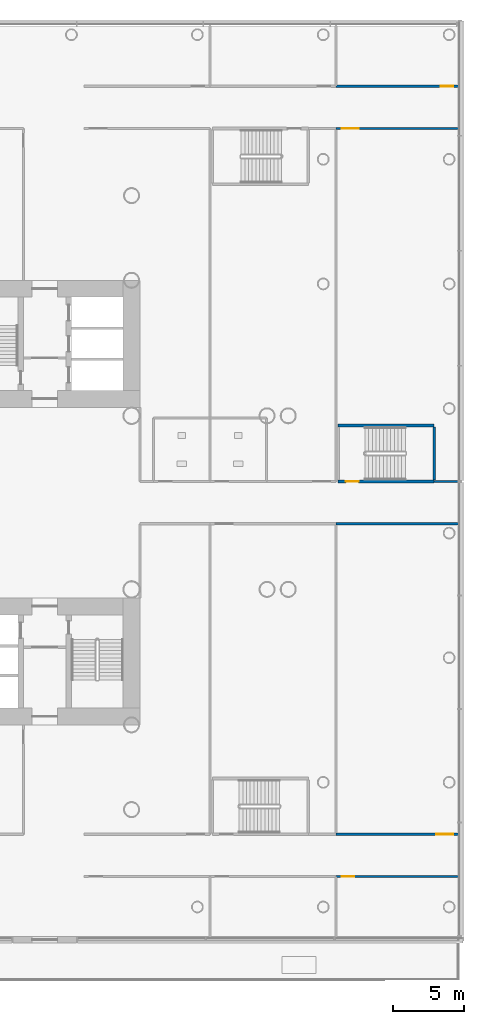
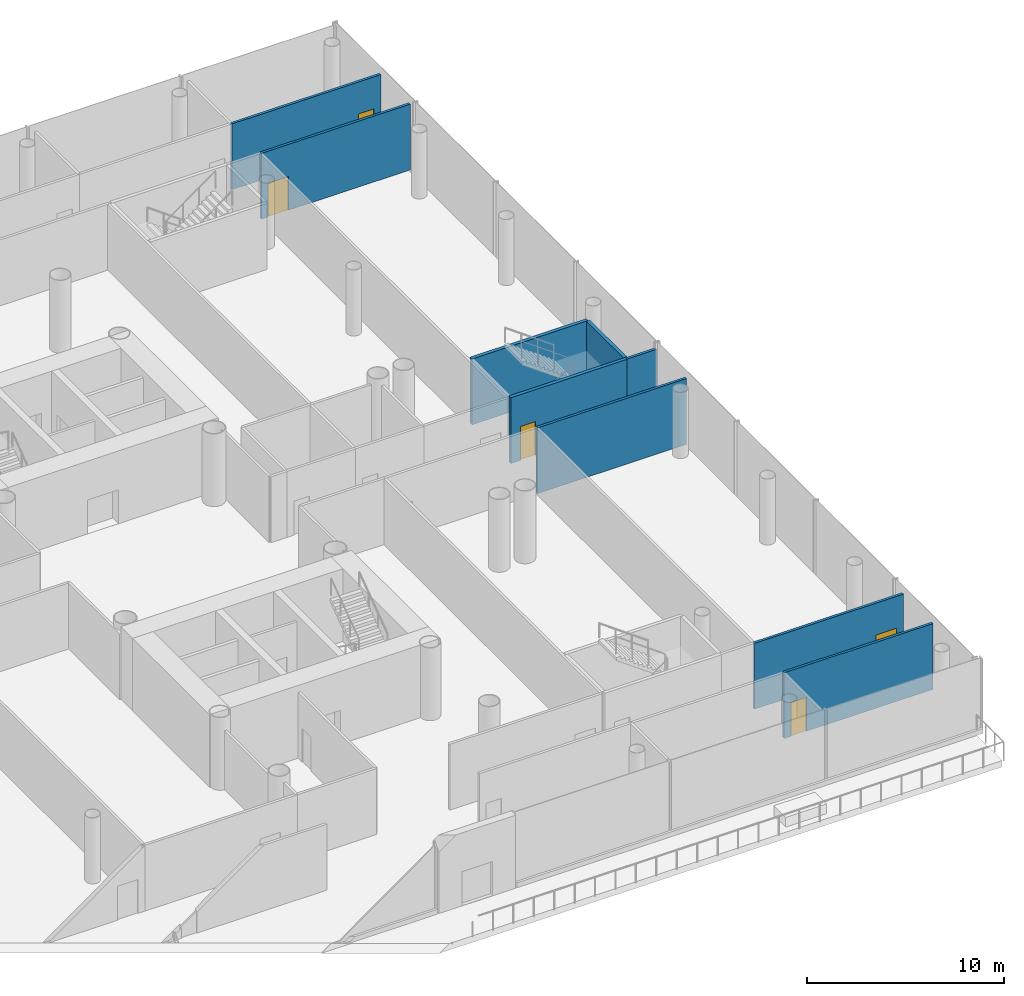
# One storey, part 25 of 49: 9 walls, 5 doors, 5 openings.
"""IFC4 building model written with IfcOpenShell, lengths in metres."""

from ifc_helpers import new_model, si_unit, direction, frame, frame_2d, origin, place, context, subcontext, project, spatial, rectangle, extrude, material, layer, layer_set, type_object, element, fill, save


model = new_model("IFC4")

# Units and contexts
model_context = context("Model", 3, precision=1e-05, world=origin(), true_north=direction((0.0, 1.0)))
body_context = subcontext(model_context, "Body", "Model", "MODEL_VIEW")
ifc_project = project(units=[si_unit("LENGTHUNIT", "METRE"), si_unit("AREAUNIT", "SQUARE_METRE"), si_unit("VOLUMEUNIT", "CUBIC_METRE"), si_unit("PLANEANGLEUNIT", "RADIAN"), si_unit("MASSUNIT", "GRAM", prefix="KILO")], contexts=[model_context])

# Site, building, storey
site_placement = place(None, origin())
site = spatial("IfcSite", under=ifc_project, at=site_placement, CompositionType="ELEMENT")
building_placement = place(site_placement, origin())
building = spatial("IfcBuilding", under=site, at=building_placement, Name="Ipe Terrace Towers", CompositionType="ELEMENT")
storey_placement = place(building_placement, frame((0.0, 0.0, 20.0)))
storey = spatial("IfcBuildingStorey", under=building, at=storey_placement, Name="L04", CompositionType="ELEMENT", Elevation=20.0)

# Wall, opening, door
ifc_material_1 = material(Name="Gypsum board partition", Category="plasterboard")
ifc_layer_1 = layer(ifc_material_1, 0.14990234375)
ifc_layer_set_1 = layer_set([ifc_layer_1], Name="Gypsum board partition 150 mm")
wall_type_1 = type_object("IfcWallType", Name="Gypsum board partition 150 mm", PredefinedType="PARTITIONING", material=ifc_layer_set_1)
wall_1_placement = place(storey_placement, frame((56.6298828125, -26.5, 0.0), z_axis=(0.0, 0.0, 1.0), x_axis=(1.0, 0.0, 0.0)))
wall_1 = element("IfcWall", 1, at=wall_1_placement, inside=storey, type_object=wall_type_1, Name="Gypsum board partition T2 L04 pd-r54-w66", PredefinedType="PARTITIONING", context=body_context, shape_type="SweptSolid", body=[
    extrude(rectangle(XDim=8.72021484375, YDim=0.14990234375, at=frame_2d((4.360107421875, 0.0))), origin(), (0.0, 0.0, 1.0), 4.074951171875),
])
opening_1_placement = place(wall_1_placement, frame((0.39990234375, 0.0, 0.0)))
opening_1 = element("IfcOpeningElement", 2, at=opening_1_placement, cuts=wall_1, Name="Opening PD-L04-r54", PredefinedType="OPENING", context=body_context, shape_type="SweptSolid", body=[
    extrude(rectangle(XDim=0.89990234375, YDim=2.10009765625, at=frame_2d((0.449951171875, 1.050048828125))), frame((0.0, 0.0849609375, 0.0), z_axis=(0.0, -1.0, 0.0), x_axis=(1.0, 0.0, 0.0)), (0.0, 0.0, 1.0), 0.169921875),
])
ifc_material_2 = material(Name="Fire-rated timber door leaf", Category="wood")
door_type_1 = type_object("IfcDoorType", Name="Lounge door 900 x 2100 FD30S", OperationType="NOTDEFINED", PredefinedType="DOOR", material=ifc_material_2)
door_1_placement = place(opening_1_placement, origin())
door_1 = element("IfcDoor", 3, at=door_1_placement, inside=storey, type_object=door_type_1, Name="Lounge door PD-L04-r54", OperationType="SINGLE_SWING_RIGHT", OverallHeight=2.10009765625, OverallWidth=0.89990234375, PredefinedType="DOOR", context=body_context, shape_type="SweptSolid", body=[
    extrude(rectangle(XDim=0.89990234375, YDim=2.10009765625, at=frame_2d((0.449951171875, 1.050048828125))), frame((0.0, 0.02490234375, 0.0), z_axis=(0.0, -1.0, 0.0), x_axis=(1.0, 0.0, 0.0)), (0.0, 0.0, 1.0), 0.050048828125),
])
fill(opening_1, door_1)

wall_2_placement = place(storey_placement, frame((65.35009765625, -23.5, 0.0), z_axis=(0.0, 0.0, 1.0), x_axis=(-1.0, 0.0, 0.0)))
wall_2 = element("IfcWall", 4, at=wall_2_placement, inside=storey, type_object=wall_type_1, Name="Gypsum board partition T2 L04 pd-r55-w67", PredefinedType="PARTITIONING", context=body_context, shape_type="SweptSolid", body=[
    extrude(rectangle(XDim=8.72021484375, YDim=0.14990234375, at=frame_2d((4.360107421875, 0.0))), origin(), (0.0, 0.0, 1.0), 4.074951171875),
])
opening_2_placement = place(wall_2_placement, frame((0.39990234375, 0.0, 0.0)))
opening_2 = element("IfcOpeningElement", 5, at=opening_2_placement, cuts=wall_2, Name="Opening PD-L04-r55", PredefinedType="OPENING", context=body_context, shape_type="SweptSolid", body=[
    extrude(rectangle(XDim=1.199951171875, YDim=2.10009765625, at=frame_2d((0.60009765625, 1.050048828125))), frame((0.0, 0.0849609375, 0.0), z_axis=(0.0, -1.0, 0.0), x_axis=(1.0, 0.0, 0.0)), (0.0, 0.0, 1.0), 0.169921875),
])
ifc_material_3 = material(Name="Fire-rated timber door leaf", Category="wood")
door_type_2 = type_object("IfcDoorType", Name="Lounge door 1200 x 2100 FD30S", OperationType="NOTDEFINED", PredefinedType="DOOR", material=ifc_material_3)
door_2_placement = place(opening_2_placement, origin())
door_2 = element("IfcDoor", 6, at=door_2_placement, inside=storey, type_object=door_type_2, Name="Lounge door PD-L04-r55", OperationType="SINGLE_SWING_RIGHT", OverallHeight=2.10009765625, OverallWidth=1.199951171875, PredefinedType="DOOR", context=body_context, shape_type="SweptSolid", body=[
    extrude(rectangle(XDim=1.199951171875, YDim=2.10009765625, at=frame_2d((0.60009765625, 1.050048828125))), frame((0.0, 0.02490234375, 0.0), z_axis=(0.0, -1.0, 0.0), x_axis=(1.0, 0.0, 0.0)), (0.0, 0.0, 1.0), 0.050048828125),
])
fill(opening_2, door_2)

# Wall
wall_3_placement = place(storey_placement, frame((56.6298828125, -1.5, 0.0), z_axis=(0.0, 0.0, 1.0), x_axis=(1.0, 0.0, 0.0)))
element("IfcWall", 7, at=wall_3_placement, inside=storey, type_object=wall_type_1, Name="Gypsum board partition T2 L04 pd-r55-w68", PredefinedType="PARTITIONING", context=body_context, shape_type="SweptSolid", body=[
    extrude(rectangle(XDim=8.72021484375, YDim=0.14990234375, at=frame_2d((4.360107421875, 0.0))), origin(), (0.0, 0.0, 1.0), 4.074951171875),
])

# Wall, opening, door
wall_4_placement = place(storey_placement, frame((65.35009765625, 29.5, 0.0), z_axis=(0.0, 0.0, 1.0), x_axis=(-1.0, 0.0, 0.0)))
wall_4 = element("IfcWall", 8, at=wall_4_placement, inside=storey, type_object=wall_type_1, Name="Gypsum board partition T2 L04 pd-r56-w69", PredefinedType="PARTITIONING", context=body_context, shape_type="SweptSolid", body=[
    extrude(rectangle(XDim=8.72021484375, YDim=0.14990234375, at=frame_2d((4.360107421875, 0.0))), origin(), (0.0, 0.0, 1.0), 4.074951171875),
])
opening_3_placement = place(wall_4_placement, frame((0.39990234375, 0.0, 0.0)))
opening_3 = element("IfcOpeningElement", 9, at=opening_3_placement, cuts=wall_4, Name="Opening PD-L04-r56", PredefinedType="OPENING", context=body_context, shape_type="SweptSolid", body=[
    extrude(rectangle(XDim=0.89990234375, YDim=2.10009765625, at=frame_2d((0.449951171875, 1.050048828125))), frame((0.0, 0.0849609375, 0.0), z_axis=(0.0, -1.0, 0.0), x_axis=(1.0, 0.0, 0.0)), (0.0, 0.0, 1.0), 0.169921875),
])
door_3_placement = place(opening_3_placement, origin())
door_3 = element("IfcDoor", 10, at=door_3_placement, inside=storey, type_object=door_type_1, Name="Lounge door PD-L04-r56", OperationType="SINGLE_SWING_RIGHT", OverallHeight=2.10009765625, OverallWidth=0.89990234375, PredefinedType="DOOR", context=body_context, shape_type="SweptSolid", body=[
    extrude(rectangle(XDim=0.89990234375, YDim=2.10009765625, at=frame_2d((0.449951171875, 1.050048828125))), frame((0.0, 0.02490234375, 0.0), z_axis=(0.0, -1.0, 0.0), x_axis=(1.0, 0.0, 0.0)), (0.0, 0.0, 1.0), 0.050048828125),
])
fill(opening_3, door_3)

wall_5_placement = place(storey_placement, frame((56.6298828125, 26.5, 0.0), z_axis=(0.0, 0.0, 1.0), x_axis=(1.0, 0.0, 0.0)))
wall_5 = element("IfcWall", 11, at=wall_5_placement, inside=storey, type_object=wall_type_1, Name="Gypsum board partition T2 L04 pd-r57-w70", PredefinedType="PARTITIONING", context=body_context, shape_type="SweptSolid", body=[
    extrude(rectangle(XDim=8.72021484375, YDim=0.14990234375, at=frame_2d((4.360107421875, 0.0))), origin(), (0.0, 0.0, 1.0), 4.074951171875),
])
opening_4_placement = place(wall_5_placement, frame((0.39990234375, 0.0, 0.0)))
opening_4 = element("IfcOpeningElement", 12, at=opening_4_placement, cuts=wall_5, Name="Opening PD-L04-r57", PredefinedType="OPENING", context=body_context, shape_type="SweptSolid", body=[
    extrude(rectangle(XDim=1.199951171875, YDim=2.10009765625, at=frame_2d((0.60009765625, 1.050048828125))), frame((0.0, 0.0849609375, 0.0), z_axis=(0.0, -1.0, 0.0), x_axis=(1.0, 0.0, 0.0)), (0.0, 0.0, 1.0), 0.169921875),
])
door_4_placement = place(opening_4_placement, origin())
door_4 = element("IfcDoor", 13, at=door_4_placement, inside=storey, type_object=door_type_2, Name="Lounge door PD-L04-r57", OperationType="SINGLE_SWING_RIGHT", OverallHeight=2.10009765625, OverallWidth=1.199951171875, PredefinedType="DOOR", context=body_context, shape_type="SweptSolid", body=[
    extrude(rectangle(XDim=1.199951171875, YDim=2.10009765625, at=frame_2d((0.60009765625, 1.050048828125))), frame((0.0, 0.02490234375, 0.0), z_axis=(0.0, -1.0, 0.0), x_axis=(1.0, 0.0, 0.0)), (0.0, 0.0, 1.0), 0.050048828125),
])
fill(opening_4, door_4)

# Wall
wall_6_placement = place(storey_placement, frame((65.35009765625, 1.5, 0.0), z_axis=(0.0, 0.0, 1.0), x_axis=(-1.0, 0.0, 0.0)))
element("IfcWall", 14, at=wall_6_placement, inside=storey, type_object=wall_type_1, Name="Gypsum board partition T2 L04 pd-r57-w71", PredefinedType="PARTITIONING", context=body_context, shape_type="SweptSolid", body=[
    extrude(rectangle(XDim=1.760009765625, YDim=0.14990234375, at=frame_2d((0.8798828125, 0.0))), origin(), (0.0, 0.0, 1.0), 4.074951171875),
])

# Wall, opening, door
ifc_material_4 = material(Name="Concrete C40/50", Category="concrete")
ifc_layer_2 = layer(ifc_material_4, 0.199951171875)
ifc_layer_set_2 = layer_set([ifc_layer_2], Name="RW200 PODIUM STAIR SHAFT WALL 200 C40-50")
wall_type_2 = type_object("IfcWallType", Name="RW200 PODIUM STAIR SHAFT WALL 200 C40-50", PredefinedType="SHEAR", material=ifc_layer_set_2)
wall_7_placement = place(storey_placement, frame((56.7900390625, 1.5, 0.0), z_axis=(0.0, 0.0, 1.0), x_axis=(1.0, 0.0, 0.0)))
wall_7 = element("IfcWall", 15, at=wall_7_placement, inside=storey, type_object=wall_type_2, Name="Stair shaft wall T2 L04 ps8-c", PredefinedType="SHEAR", context=body_context, shape_type="SweptSolid", body=[
    extrude(rectangle(XDim=6.800048828125, YDim=0.199951171875, at=frame_2d((3.39990234375, 0.0))), origin(), (0.0, 0.0, 1.0), 4.074951171875),
])
opening_5_placement = place(wall_7_placement, frame((0.550048828125, 0.0, 0.0)))
opening_5 = element("IfcOpeningElement", 16, at=opening_5_placement, cuts=wall_7, Name="Opening PS8-SD", PredefinedType="OPENING", context=body_context, shape_type="SweptSolid", body=[
    extrude(rectangle(XDim=0.89990234375, YDim=2.10009765625, at=frame_2d((0.449951171875, 1.050048828125))), frame((0.0, 0.10986328125, 0.0), z_axis=(0.0, -1.0, 0.0), x_axis=(1.0, 0.0, 0.0)), (0.0, 0.0, 1.0), 0.219970703125),
])
ifc_material_5 = material(Name="Fire-rated timber door leaf", Category="wood")
door_type_3 = type_object("IfcDoorType", Name="Stair door 900 x 2100 FD60", OperationType="NOTDEFINED", PredefinedType="DOOR", material=ifc_material_5)
door_5_placement = place(opening_5_placement, origin())
door_5 = element("IfcDoor", 17, at=door_5_placement, inside=storey, type_object=door_type_3, Name="Stair door PS8-SD", OperationType="SINGLE_SWING_RIGHT", OverallHeight=2.10009765625, OverallWidth=0.89990234375, PredefinedType="DOOR", context=body_context, shape_type="SweptSolid", body=[
    extrude(rectangle(XDim=0.89990234375, YDim=2.10009765625, at=frame_2d((0.449951171875, 1.050048828125))), frame((0.0, 0.02490234375, 0.0), z_axis=(0.0, -1.0, 0.0), x_axis=(1.0, 0.0, 0.0)), (0.0, 0.0, 1.0), 0.050048828125),
])
fill(opening_5, door_5)

# Walls
wall_8_placement = place(storey_placement, frame((56.7900390625, 5.449951171875, 0.0), z_axis=(0.0, 0.0, 1.0), x_axis=(1.0, 0.0, 0.0)))
element("IfcWall", 18, at=wall_8_placement, inside=storey, type_object=wall_type_2, Name="Stair shaft wall T2 L04 ps8-f", PredefinedType="SHEAR", context=body_context, shape_type="SweptSolid", body=[
    extrude(rectangle(XDim=6.800048828125, YDim=0.199951171875, at=frame_2d((3.39990234375, 0.0))), origin(), (0.0, 0.0, 1.0), 4.074951171875),
])
wall_9_placement = place(storey_placement, frame((63.590087890625, 1.60009765625, 0.0), z_axis=(0.0, 0.0, 1.0), x_axis=(0.0, 1.0, 0.0)))
element("IfcWall", 19, at=wall_9_placement, inside=storey, type_object=wall_type_2, Name="Stair shaft wall T2 L04 ps8-e", PredefinedType="SHEAR", context=body_context, shape_type="SweptSolid", body=[
    extrude(rectangle(XDim=3.75, YDim=0.199951171875, at=frame_2d((1.875, 0.0))), origin(), (0.0, 0.0, 1.0), 4.074951171875),
])

save(model, "model.ifc")
